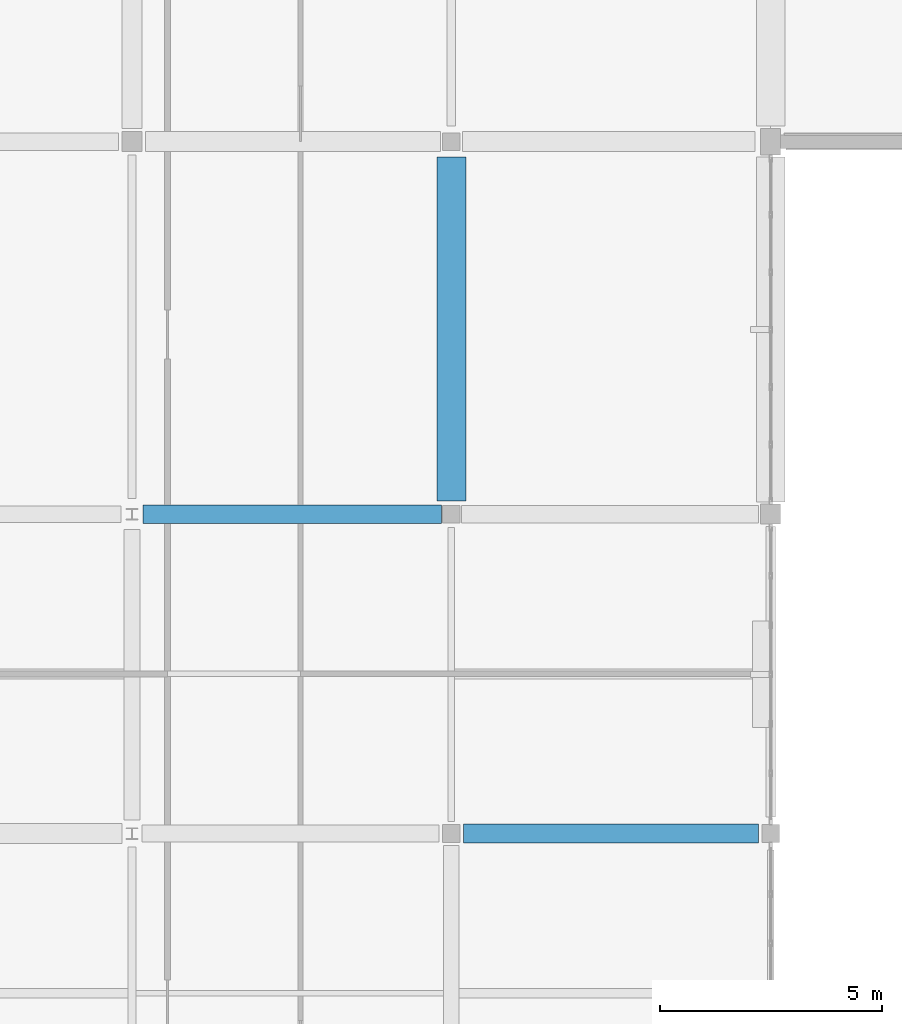
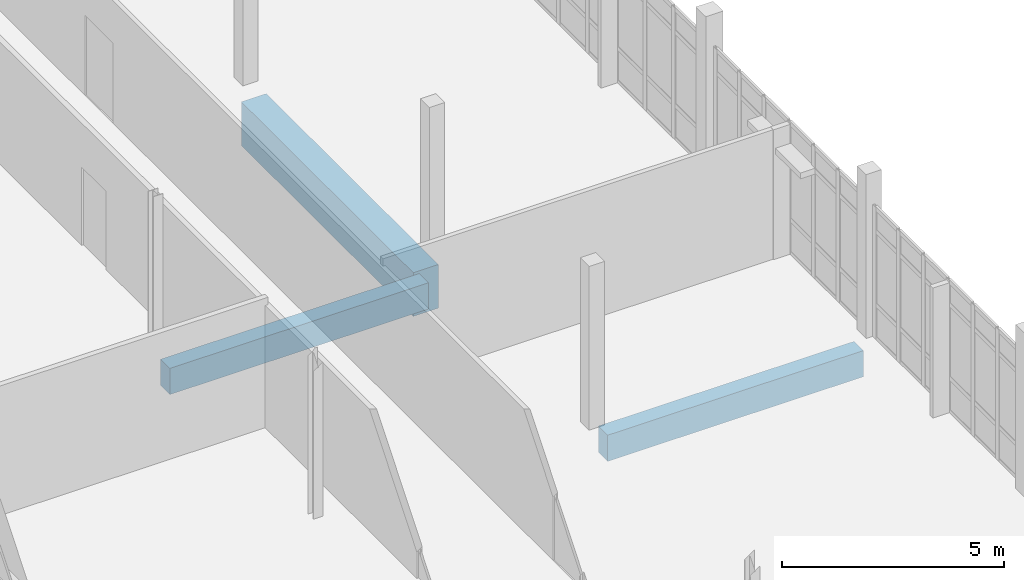
# One storey, part 21 of 62: 3 beams.
"""IFC4 building model written with IfcOpenShell, lengths in metres."""

from ifc_helpers import new_model, si_unit, direction, frame, origin, origin_2d, place, context, subcontext, project, spatial, rectangle, extrude, material, material_profile, profile_set, type_object, element, save


model = new_model("IFC4")

# Units and contexts
model_context = context("Model", 3, precision=1e-05, world=origin(), true_north=direction((0.0, 1.0)))
body_context = subcontext(model_context, "Body", "Model", "MODEL_VIEW")
ifc_project = project(units=[si_unit("LENGTHUNIT", "METRE"), si_unit("AREAUNIT", "SQUARE_METRE"), si_unit("VOLUMEUNIT", "CUBIC_METRE"), si_unit("PLANEANGLEUNIT", "RADIAN"), si_unit("MASSUNIT", "GRAM", prefix="KILO")], contexts=[model_context])

# Site, building, storey
site_placement = place(None, origin())
site = spatial("IfcSite", under=ifc_project, at=site_placement, CompositionType="ELEMENT")
building_placement = place(site_placement, origin())
building = spatial("IfcBuilding", under=site, at=building_placement, Name="Kalluvel Institute of Natural Sciences", CompositionType="ELEMENT")
storey_placement = place(building_placement, frame((0.0, 0.0, 27.89990234375)))
storey = spatial("IfcBuildingStorey", under=building, at=storey_placement, Name="L06", CompositionType="ELEMENT", Elevation=27.89990234375)

# Beams
ifc_material_1 = material(Name="Concrete M40", Category="concrete")
ifc_material_profile_1 = material_profile(ifc_material_1, rectangle(XDim=0.419921875, YDim=0.719970703125, at=origin_2d()), Name="RCB 420x720")
ifc_profile_set_1 = profile_set([ifc_material_profile_1], Name="Concrete M40")
beam_type_1 = type_object("IfcBeamType", Name="BM-RC420x720", PredefinedType="BEAM", material=ifc_profile_set_1)
beam_1_placement = place(storey_placement, frame((28.675048828125, 78.800048828125, -0.659912109375), z_axis=(1.0, 0.0, 0.0), x_axis=(0.0, 1.0, 0.0)))
element("IfcBeam", 1, at=beam_1_placement, inside=storey, type_object=beam_type_1, Name="L06 girder GIR-L06-EW-X284-Y788", PredefinedType="BEAM", context=body_context, shape_type="SweptSolid", body=[
    extrude(rectangle(XDim=0.419921875, YDim=0.719970703125, at=origin_2d()), origin(), (0.0, 0.0, 1.0), 6.64990234375),
])
beam_2_placement = place(storey_placement, frame((21.449951171875, 86.0, -0.659912109375), z_axis=(1.0, 0.0, 0.0), x_axis=(0.0, 1.0, 0.0)))
element("IfcBeam", 2, at=beam_2_placement, inside=storey, type_object=beam_type_1, Name="L06 girder GIR-L06-EW-X212-Y860", PredefinedType="BEAM", context=body_context, shape_type="SweptSolid", body=[
    extrude(rectangle(XDim=0.419921875, YDim=0.719970703125, at=origin_2d()), origin(), (0.0, 0.0, 1.0), 6.72509765625),
])
ifc_material_2 = material(Name="Concrete M50", Category="concrete")
ifc_material_profile_2 = material_profile(ifc_material_2, rectangle(XDim=0.64990234375, YDim=1.199951171875, at=origin_2d()), Name="RCB 650x1200")
ifc_profile_set_2 = profile_set([ifc_material_profile_2], Name="Concrete M50")
beam_type_2 = type_object("IfcBeamType", Name="BM-RC650x1200", PredefinedType="BEAM", material=ifc_profile_set_2)
beam_3_placement = place(storey_placement, frame((28.39990234375, 86.300048828125, -0.89990234375), z_axis=(0.0, 1.0, 0.0), x_axis=(-1.0, 0.0, 0.0)))
element("IfcBeam", 3, at=beam_3_placement, inside=storey, type_object=beam_type_2, Name="L06 girder GIR-L06-NS-X284-Y860", PredefinedType="BEAM", context=body_context, shape_type="SweptSolid", body=[
    extrude(rectangle(XDim=0.64990234375, YDim=1.199951171875, at=origin_2d()), origin(), (0.0, 0.0, 1.0), 7.75),
])

save(model, "model.ifc")
